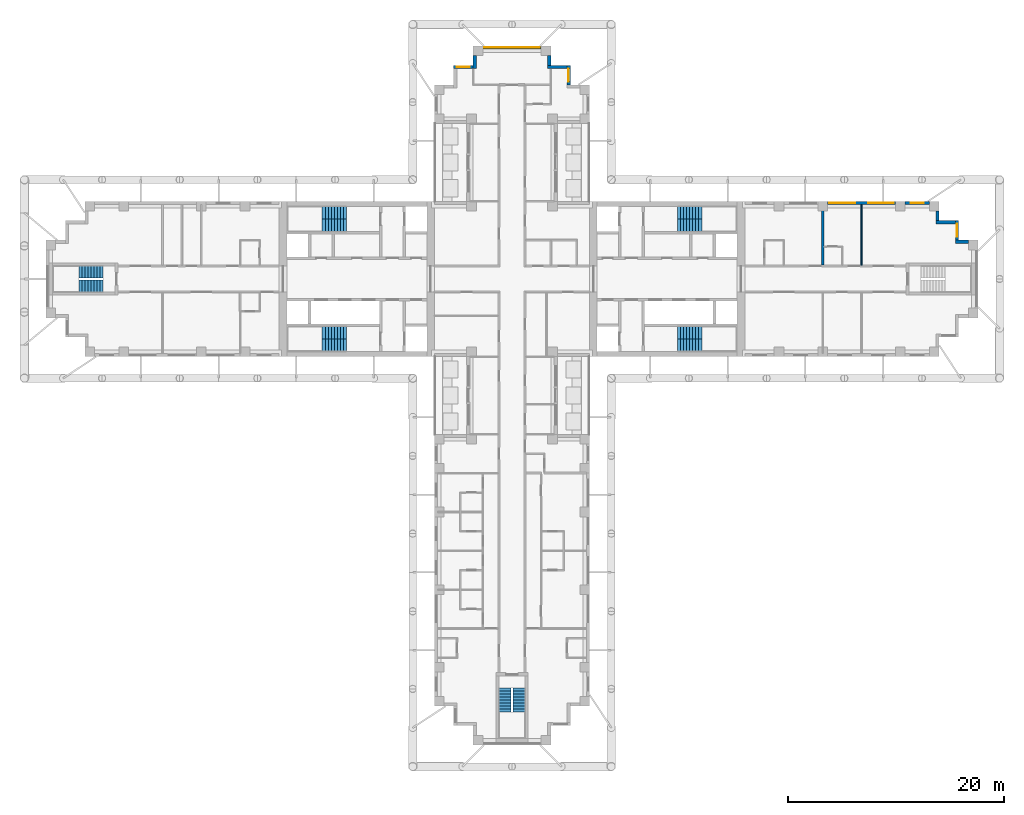
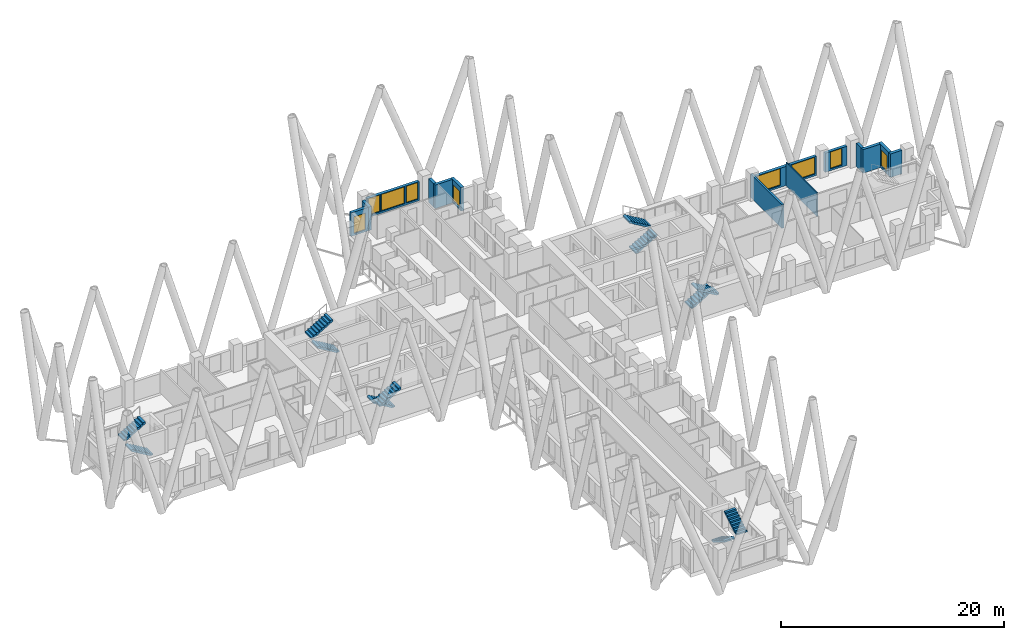
# One storey, part 11 of 14: 14 walls, 12 stair flights, 9 windows, 9 openings, 6 elements without a shape of their own.
"""IFC4 building model written with IfcOpenShell, lengths in metres."""

import ifcopenshell
import ifcopenshell.guid

model = None  # the IFC model being written
_history = None  # IfcOwnerHistory: only IFC2X3 demands one
_inside = {}  # id of a spatial element -> (the spatial element, [elements in it])
_under = {}  # id of a project, library or spatial element -> (it, [spatial elements below it])
_declared = {}  # id of a project -> (the project, [libraries it declares])
_typed = {}  # id of a type object -> (the type object, [elements of that type])
_made_of = {}  # id of a material, layer set ... -> (it, [elements and type objects made of it])


def new_model(schema):
    """Start an empty IFC model of exactly this schema.

    Asked for "IFC4X3", IfcOpenShell would pick the latest addendum, in which some entities
    have other attributes; the version numbers below select the first issue.
    IFC2X3 requires an IfcOwnerHistory on every rooted entity: one is made here for all.
    """
    global model, _history
    if schema == "IFC4X3":
        model = ifcopenshell.file(schema_version=(4, 3, 0, 0))
    else:
        model = ifcopenshell.file(schema=schema)
    _inside.clear()
    _under.clear()
    _declared.clear()
    _typed.clear()
    _made_of.clear()
    _history = None
    if model.schema == "IFC2X3":
        org = make("IfcOrganization", Name="unknown")
        user = make(
            "IfcPersonAndOrganization",
            ThePerson=make("IfcPerson", FamilyName="unknown"),
            TheOrganization=org,
        )
        app = make(
            "IfcApplication",
            ApplicationDeveloper=org,
            Version="unknown",
            ApplicationFullName="unknown",
            ApplicationIdentifier="unknown",
        )
        _history = make(
            "IfcOwnerHistory",
            OwningUser=user,
            OwningApplication=app,
            ChangeAction="ADDED",
            CreationDate=0,
        )
    return model


def make(cls, **values):
    """One entity of the class cls with the attributes given. An attribute that is None is left unset."""
    return model.create_entity(
        cls, **{name: value for name, value in values.items() if value is not None}
    )


def rooted(cls, **values):
    """An entity with a GlobalId (a new one), such as an element, a storey or a relation."""
    return make(cls, GlobalId=ifcopenshell.guid.new(), OwnerHistory=_history, **values)


def si_unit(unit_type, name, prefix=None):
    """IfcSIUnit, for example si_unit("LENGTHUNIT", "METRE", prefix="MILLI")."""
    return make("IfcSIUnit", UnitType=unit_type, Prefix=prefix, Name=name)


def assignment(units):
    """IfcUnitAssignment: the units of a project."""
    return None if units is None else make("IfcUnitAssignment", Units=units)


def point(xyz):
    """IfcCartesianPoint."""
    return None if xyz is None else make("IfcCartesianPoint", Coordinates=xyz)


def direction(xyz):
    """IfcDirection."""
    return None if xyz is None else make("IfcDirection", DirectionRatios=xyz)


def frame(location, z_axis=None, x_axis=None):
    """IfcAxis2Placement3D, a coordinate frame: its origin and axes. An axis left out is left unset."""
    return make(
        "IfcAxis2Placement3D",
        Location=point(location),
        Axis=direction(z_axis),
        RefDirection=direction(x_axis),
    )


def frame_2d(location, x_axis=None):
    """IfcAxis2Placement2D, a coordinate frame in the plane: its origin and x axis."""
    return make(
        "IfcAxis2Placement2D", Location=point(location), RefDirection=direction(x_axis)
    )


def origin():
    """The frame at (0, 0, 0) with its axes left unset."""
    return frame((0.0, 0.0, 0.0))


def place(relative_to, where):
    """IfcLocalPlacement: puts the frame where relative to a parent placement (None: the world)."""
    return make(
        "IfcLocalPlacement", PlacementRelTo=relative_to, RelativePlacement=where
    )


def context(
    kind, dimensions, precision=None, world=None, true_north=None, identifier=None
):
    """IfcGeometricRepresentationContext, for example the 3D "Model" context."""
    return make(
        "IfcGeometricRepresentationContext",
        ContextIdentifier=identifier,
        ContextType=kind,
        CoordinateSpaceDimension=dimensions,
        Precision=precision,
        WorldCoordinateSystem=world,
        TrueNorth=true_north,
    )


def subcontext(parent, identifier, kind, view, scale=None):
    """IfcGeometricRepresentationSubContext, for example "Body" below "Model"."""
    return make(
        "IfcGeometricRepresentationSubContext",
        ContextIdentifier=identifier,
        ContextType=kind,
        ParentContext=parent,
        TargetScale=scale,
        TargetView=view,
    )


def project(units=None, contexts=None):
    """IfcProject with its units and contexts."""
    return rooted(
        "IfcProject",
        Name="project",
        RepresentationContexts=contexts,
        UnitsInContext=assignment(units),
    )


def spatial(cls, under=None, at=None, **own):
    """A site, building, storey or space (cls), placed at a placement, below another one or the project."""
    s = rooted(cls, ObjectPlacement=at, **own)
    if under is not None:
        _under.setdefault(under.id(), (under, []))[1].append(s)
    return s


def polyline(points):
    """IfcPolyline through the points."""
    return make("IfcPolyline", Points=[point(p) for p in points])


def profile(cls, at=None, kind="AREA", **sizes):
    """A parametric profile (cls). Its sizes go by their IFC names, for example OverallWidth=200.0."""
    return make(cls, ProfileType=kind, Position=at, **sizes)


def rectangle(**sizes):
    """IfcRectangleProfileDef."""
    return profile("IfcRectangleProfileDef", **sizes)


def outline(outer, holes=None, kind="AREA"):
    """IfcArbitraryClosedProfileDef: a profile drawn as a closed curve; with holes, ...WithVoids."""
    if holes is None:
        return make("IfcArbitraryClosedProfileDef", ProfileType=kind, OuterCurve=outer)
    return make(
        "IfcArbitraryProfileDefWithVoids",
        ProfileType=kind,
        OuterCurve=outer,
        InnerCurves=holes,
    )


def extrude(swept, where, along, depth):
    """IfcExtrudedAreaSolid: the profile swept, set in the frame where, extruded along a direction by depth."""
    return make(
        "IfcExtrudedAreaSolid",
        SweptArea=swept,
        Position=where,
        ExtrudedDirection=direction(along),
        Depth=depth,
    )


def shape(context_of_items, identifier, shape_type, items):
    """IfcShapeRepresentation: the items that make up one representation, for example the "Body"."""
    return make(
        "IfcShapeRepresentation",
        ContextOfItems=context_of_items,
        RepresentationIdentifier=identifier,
        RepresentationType=shape_type,
        Items=items,
    )


def material(Name=None, Category=None):
    """IfcMaterial."""
    return make("IfcMaterial", Name=Name, Category=Category)


def layer(
    of_material, thickness, ventilated=None, Name=None, Category=None, Priority=None
):
    """IfcMaterialLayer: one layer of a wall or slab, of a material (None: an air gap)."""
    return make(
        "IfcMaterialLayer",
        Material=of_material,
        LayerThickness=thickness,
        IsVentilated=ventilated,
        Name=Name,
        Category=Category,
        Priority=Priority,
    )


def layer_set(layers, Name=None):
    """IfcMaterialLayerSet."""
    return make("IfcMaterialLayerSet", MaterialLayers=layers, LayerSetName=Name)


def made_of(thing, what):
    """Note that an element or type object is made of a material, layer set ...; save() writes the relation."""
    if what is not None:
        _made_of.setdefault(what.id(), (what, []))[1].append(thing)
    return thing


def type_object(cls, material=None, **own):
    """A type object (cls), such as IfcWallType, which elements share."""
    return made_of(rooted(cls, **own), material)


def element(
    cls,
    number,
    at=None,
    inside=None,
    cuts=None,
    type_object=None,
    material=None,
    context=None,
    identifier="Body",
    shape_type=None,
    held_by="IfcProductDefinitionShape",
    body=None,
    shapes=None,
    **own,
):
    """One element of the class cls, such as IfcWall. Its Tag is "e" and its number.

    at: its placement. inside: the storey or other place that contains it. cuts: it is an
    opening in that element (IfcRelVoidsElement). A single representation is given by context,
    identifier, shape_type and body (its items); several are given by shapes. held_by: the class
    of the entity that holds the representations. save() writes the other relations.
    """
    e = rooted(cls, Tag="e%d" % number, ObjectPlacement=at, **own)
    if body is not None:
        shapes = [shape(context, identifier, shape_type, body)]
    if shapes is not None:
        e.Representation = make(held_by, Representations=shapes)
    if inside is not None:
        _inside.setdefault(inside.id(), (inside, []))[1].append(e)
    if cuts is not None:
        rooted(
            "IfcRelVoidsElement", RelatingBuildingElement=cuts, RelatedOpeningElement=e
        )
    if type_object is not None:
        _typed.setdefault(type_object.id(), (type_object, []))[1].append(e)
    return made_of(e, material)


def fill(opening, filler):
    """IfcRelFillsElement: the door or window that sits in an opening."""
    return rooted(
        "IfcRelFillsElement",
        RelatingOpeningElement=opening,
        RelatedBuildingElement=filler,
    )


def aggregate(whole, parts):
    """IfcRelAggregates: a whole, such as a stair, and the parts it consists of."""
    return rooted("IfcRelAggregates", RelatingObject=whole, RelatedObjects=parts)


def save(model, path):
    """Write the relations noted so far, then the file.

    IfcRelAggregates (storeys below a building ...), IfcRelContainedInSpatialStructure (elements
    in a storey), IfcRelDefinesByType, IfcRelAssociatesMaterial and IfcRelDeclares: one each for
    every whole, place, type object, material and project.
    """
    for whole, parts in _under.values():
        aggregate(whole, parts)
    for where, things in _inside.values():
        rooted(
            "IfcRelContainedInSpatialStructure",
            RelatedElements=things,
            RelatingStructure=where,
        )
    for kind, things in _typed.values():
        rooted("IfcRelDefinesByType", RelatedObjects=things, RelatingType=kind)
    for what, things in _made_of.values():
        rooted("IfcRelAssociatesMaterial", RelatedObjects=things, RelatingMaterial=what)
    for by, libraries in _declared.values():
        rooted("IfcRelDeclares", RelatingContext=by, RelatedDefinitions=libraries)
    model.write(path)


model = new_model("IFC4")

# Units and contexts
model_context = context("Model", 3, precision=1e-05, world=origin(), true_north=direction((0.0, 1.0)))
body_context = subcontext(model_context, "Body", "Model", "MODEL_VIEW")
ifc_project = project(units=[si_unit("LENGTHUNIT", "METRE"), si_unit("AREAUNIT", "SQUARE_METRE"), si_unit("VOLUMEUNIT", "CUBIC_METRE"), si_unit("PLANEANGLEUNIT", "RADIAN"), si_unit("MASSUNIT", "GRAM", prefix="KILO")], contexts=[model_context])

# Site, building, storey
site_placement = place(None, origin())
site = spatial("IfcSite", under=ifc_project, at=site_placement, CompositionType="ELEMENT")
building_placement = place(site_placement, origin())
building = spatial("IfcBuilding", under=site, at=building_placement, Name="Fustian Cross Tower", CompositionType="ELEMENT")
storey_placement = place(building_placement, frame((0.0, 0.0, 90.89990234375)))
storey = spatial("IfcBuildingStorey", under=building, at=storey_placement, Name="L28", CompositionType="ELEMENT", Elevation=90.89990234375)

# Walls
ifc_material_1 = material(Name="Plasterboard on steel stud", Category="steel")
ifc_layer_1 = layer(ifc_material_1, 0.10009765625)
ifc_layer_set_1 = layer_set([ifc_layer_1], Name="Plasterboard on steel stud")
wall_type_1 = type_object("IfcWallType", Name="PARTITION 100 STUD", PredefinedType="PARTITIONING", material=ifc_layer_set_1)
wall_1_placement = place(storey_placement, frame((32.39990234375, 1.27490234375, 0.0), z_axis=(0.0, 0.0, 1.0), x_axis=(0.0, 1.0, 0.0)))
element("IfcWall", 1, at=wall_1_placement, inside=storey, type_object=wall_type_1, Name="Partition 80", PredefinedType="PARTITIONING", context=body_context, shape_type="SweptSolid", body=[
    extrude(rectangle(XDim=5.625, YDim=0.10009765625, at=frame_2d((2.8125, 0.0))), origin(), (0.0, 0.0, 1.0), 2.5751953125),
])
ifc_material_2 = material(Name="Plasterboard on steel stud", Category="steel")
ifc_layer_2 = layer(ifc_material_2, 0.199951171875)
ifc_layer_set_2 = layer_set([ifc_layer_2], Name="Plasterboard on steel stud")
wall_type_2 = type_object("IfcWallType", Name="PARTY WALL 200 EI 60", PredefinedType="PARTITIONING", material=ifc_layer_set_2)
wall_2_placement = place(storey_placement, frame((28.800048828125, 1.27490234375, 0.0), z_axis=(0.0, 0.0, 1.0), x_axis=(0.0, 1.0, 0.0)))
element("IfcWall", 2, at=wall_2_placement, inside=storey, type_object=wall_type_2, Name="Partition 76", PredefinedType="PARTITIONING", context=body_context, shape_type="SweptSolid", body=[
    extrude(rectangle(XDim=5.625, YDim=0.199951171875, at=frame_2d((2.8125, 0.0))), origin(), (0.0, 0.0, 1.0), 2.5751953125),
])
ifc_material_3 = material(Name="Dark aluminium cladding on insulated backing wall", Category="aluminium")
ifc_layer_3 = layer(ifc_material_3, 0.300048828125)
ifc_layer_set_3 = layer_set([ifc_layer_3], Name="Dark aluminium cladding on insulated backing wall")
wall_type_3 = type_object("IfcWallType", Name="XW1 EXTERNAL WALL 300", PredefinedType="SOLIDWALL", material=ifc_layer_set_3)
wall_3_placement = place(storey_placement, frame((42.300048828125, 3.449951171875, 0.0), z_axis=(0.0, 0.0, 1.0), x_axis=(-1.0, 0.0, 0.0)))
element("IfcWall", 3, at=wall_3_placement, inside=storey, type_object=wall_type_3, Name="External wall", PredefinedType="SOLIDWALL", context=body_context, shape_type="SweptSolid", body=[
    extrude(rectangle(XDim=1.199951171875, YDim=0.300048828125, at=frame_2d((0.60009765625, 0.0))), origin(), (0.0, 0.0, 1.0), 2.5751953125),
])

# Wall, opening, window
wall_4_placement = place(storey_placement, frame((41.25, 3.60009765625, 0.0), z_axis=(0.0, 0.0, 1.0), x_axis=(0.0, 1.0, 0.0)))
wall_4 = element("IfcWall", 4, at=wall_4_placement, inside=storey, type_object=wall_type_3, Name="External wall", PredefinedType="SOLIDWALL", context=body_context, shape_type="SweptSolid", body=[
    extrude(rectangle(XDim=1.7998046875, YDim=0.300048828125, at=frame_2d((0.89990234375, 0.0))), origin(), (0.0, 0.0, 1.0), 2.5751953125),
])
opening_1_placement = place(wall_4_placement, frame((0.300048828125, 0.0, 0.199951171875)))
opening_1 = element("IfcOpeningElement", 5, at=opening_1_placement, cuts=wall_4, Name="Opening WN3", PredefinedType="OPENING", context=body_context, shape_type="SweptSolid", body=[
    extrude(rectangle(XDim=1.199951171875, YDim=1.85009765625, at=frame_2d((0.60009765625, 0.925048828125))), frame((0.0, 0.159912109375, 0.0), z_axis=(0.0, -1.0, 0.0), x_axis=(1.0, 0.0, 0.0)), (0.0, 0.0, 1.0), 0.320068359375),
])
ifc_material_4 = material(Name="Dark anodised aluminium and double glazing", Category="aluminium")
window_type_1 = type_object("IfcWindowType", Name="WN3 WINDOW 1200X1850", PartitioningType="SINGLE_PANEL", PredefinedType="WINDOW", material=ifc_material_4)
window_1_placement = place(opening_1_placement, origin())
window_1 = element("IfcWindow", 6, at=window_1_placement, inside=storey, type_object=window_type_1, Name="Window", OverallHeight=1.85009765625, OverallWidth=1.199951171875, PartitioningType="SINGLE_PANEL", PredefinedType="WINDOW", context=body_context, shape_type="SweptSolid", body=[
    extrude(rectangle(XDim=1.199951171875, YDim=1.85009765625, at=frame_2d((0.60009765625, 0.925048828125))), frame((0.0, 0.030029296875, 0.0), z_axis=(0.0, -1.0, 0.0), x_axis=(1.0, 0.0, 0.0)), (0.0, 0.0, 1.0), 0.06005859375),
])
fill(opening_1, window_1)

# Walls
wall_5_placement = place(storey_placement, frame((41.10009765625, 5.25, 0.0), z_axis=(0.0, 0.0, 1.0), x_axis=(-1.0, 0.0, 0.0)))
element("IfcWall", 7, at=wall_5_placement, inside=storey, type_object=wall_type_3, Name="External wall", PredefinedType="SOLIDWALL", context=body_context, shape_type="SweptSolid", body=[
    extrude(rectangle(XDim=1.800048828125, YDim=0.300048828125, at=frame_2d((0.89990234375, 0.0))), origin(), (0.0, 0.0, 1.0), 2.5751953125),
])
wall_6_placement = place(storey_placement, frame((39.449951171875, 5.39990234375, 0.0), z_axis=(0.0, 0.0, 1.0), x_axis=(0.0, 1.0, 0.0)))
element("IfcWall", 8, at=wall_6_placement, inside=storey, type_object=wall_type_3, Name="External wall", PredefinedType="SOLIDWALL", context=body_context, shape_type="SweptSolid", body=[
    extrude(rectangle(XDim=0.900146484375, YDim=0.300048828125, at=frame_2d((0.4501953125, 0.0))), origin(), (0.0, 0.0, 1.0), 2.5751953125),
])

# Wall, opening, window
wall_7_placement = place(storey_placement, frame((38.699951171875, 7.050048828125, 0.0), z_axis=(0.0, 0.0, 1.0), x_axis=(-1.0, 0.0, 0.0)))
wall_7 = element("IfcWall", 9, at=wall_7_placement, inside=storey, type_object=wall_type_3, Name="External wall", PredefinedType="SOLIDWALL", context=body_context, shape_type="SweptSolid", body=[
    extrude(rectangle(XDim=2.25, YDim=0.300048828125, at=frame_2d((1.125, 0.0))), origin(), (0.0, 0.0, 1.0), 2.10009765625),
])
opening_2_placement = place(wall_7_placement, frame((0.52490234375, 0.0, 0.199951171875)))
opening_2 = element("IfcOpeningElement", 10, at=opening_2_placement, cuts=wall_7, Name="Opening WN3", PredefinedType="OPENING", context=body_context, shape_type="SweptSolid", body=[
    extrude(rectangle(XDim=1.199951171875, YDim=1.85009765625, at=frame_2d((0.60009765625, 0.925048828125))), frame((0.0, 0.159912109375, 0.0), z_axis=(0.0, -1.0, 0.0), x_axis=(1.0, 0.0, 0.0)), (0.0, 0.0, 1.0), 0.320068359375),
])
window_2_placement = place(opening_2_placement, origin())
window_2 = element("IfcWindow", 11, at=window_2_placement, inside=storey, type_object=window_type_1, Name="Window", OverallHeight=1.85009765625, OverallWidth=1.199951171875, PartitioningType="SINGLE_PANEL", PredefinedType="WINDOW", context=body_context, shape_type="SweptSolid", body=[
    extrude(rectangle(XDim=1.199951171875, YDim=1.85009765625, at=frame_2d((0.60009765625, 0.925048828125))), frame((0.0, 0.030029296875, 0.0), z_axis=(0.0, -1.0, 0.0), x_axis=(1.0, 0.0, 0.0)), (0.0, 0.0, 1.0), 0.06005859375),
])
fill(opening_2, window_2)

# Wall, openings, windows
wall_8_placement = place(storey_placement, frame((35.550048828125, 7.050048828125, 0.0), z_axis=(0.0, 0.0, 1.0), x_axis=(-1.0, 0.0, 0.0)))
wall_8 = element("IfcWall", 12, at=wall_8_placement, inside=storey, type_object=wall_type_3, Name="External wall", PredefinedType="SOLIDWALL", context=body_context, shape_type="SweptSolid", body=[
    extrude(rectangle(XDim=6.300048828125, YDim=0.300048828125, at=frame_2d((3.14990234375, 0.0))), origin(), (0.0, 0.0, 1.0), 2.10009765625),
])
opening_3_placement = place(wall_8_placement, frame((0.14990234375, 0.0, 0.199951171875)))
opening_3 = element("IfcOpeningElement", 13, at=opening_3_placement, cuts=wall_8, Name="Opening WN1", PredefinedType="OPENING", context=body_context, shape_type="SweptSolid", body=[
    extrude(rectangle(XDim=2.39990234375, YDim=1.85009765625, at=frame_2d((1.199951171875, 0.925048828125))), frame((0.0, 0.159912109375, 0.0), z_axis=(0.0, -1.0, 0.0), x_axis=(1.0, 0.0, 0.0)), (0.0, 0.0, 1.0), 0.320068359375),
])
opening_4_placement = place(wall_8_placement, frame((3.75, 0.0, 0.199951171875)))
opening_4 = element("IfcOpeningElement", 14, at=opening_4_placement, cuts=wall_8, Name="Opening WN1", PredefinedType="OPENING", context=body_context, shape_type="SweptSolid", body=[
    extrude(rectangle(XDim=2.39990234375, YDim=1.85009765625, at=frame_2d((1.199951171875, 0.925048828125))), frame((0.0, 0.159912109375, 0.0), z_axis=(0.0, -1.0, 0.0), x_axis=(1.0, 0.0, 0.0)), (0.0, 0.0, 1.0), 0.320068359375),
])
ifc_material_5 = material(Name="Dark anodised aluminium and double glazing", Category="aluminium")
window_type_2 = type_object("IfcWindowType", Name="WN1 WINDOW 2400X1850", PartitioningType="SINGLE_PANEL", PredefinedType="WINDOW", material=ifc_material_5)
window_3_placement = place(opening_3_placement, origin())
window_3 = element("IfcWindow", 15, at=window_3_placement, inside=storey, type_object=window_type_2, Name="Window", OverallHeight=1.85009765625, OverallWidth=2.39990234375, PartitioningType="SINGLE_PANEL", PredefinedType="WINDOW", context=body_context, shape_type="SweptSolid", body=[
    extrude(rectangle(XDim=2.39990234375, YDim=1.85009765625, at=frame_2d((1.199951171875, 0.925048828125))), frame((0.0, 0.030029296875, 0.0), z_axis=(0.0, -1.0, 0.0), x_axis=(1.0, 0.0, 0.0)), (0.0, 0.0, 1.0), 0.06005859375),
])
fill(opening_3, window_3)
window_4_placement = place(opening_4_placement, origin())
window_4 = element("IfcWindow", 16, at=window_4_placement, inside=storey, type_object=window_type_2, Name="Window", OverallHeight=1.85009765625, OverallWidth=2.39990234375, PartitioningType="SINGLE_PANEL", PredefinedType="WINDOW", context=body_context, shape_type="SweptSolid", body=[
    extrude(rectangle(XDim=2.39990234375, YDim=1.85009765625, at=frame_2d((1.199951171875, 0.925048828125))), frame((0.0, 0.030029296875, 0.0), z_axis=(0.0, -1.0, 0.0), x_axis=(1.0, 0.0, 0.0)), (0.0, 0.0, 1.0), 0.06005859375),
])
fill(opening_4, window_4)

# Wall, opening, window
wall_9_placement = place(storey_placement, frame((5.25, 18.0, 0.0), z_axis=(0.0, 0.0, 1.0), x_axis=(0.0, 1.0, 0.0)))
wall_9 = element("IfcWall", 17, at=wall_9_placement, inside=storey, type_object=wall_type_3, Name="External wall", PredefinedType="SOLIDWALL", context=body_context, shape_type="SweptSolid", body=[
    extrude(rectangle(XDim=1.800048828125, YDim=0.300048828125, at=frame_2d((0.89990234375, 0.0))), origin(), (0.0, 0.0, 1.0), 2.5751953125),
])
opening_5_placement = place(wall_9_placement, frame((0.300048828125, 0.0, 0.199951171875)))
opening_5 = element("IfcOpeningElement", 18, at=opening_5_placement, cuts=wall_9, Name="Opening WN3", PredefinedType="OPENING", context=body_context, shape_type="SweptSolid", body=[
    extrude(rectangle(XDim=1.199951171875, YDim=1.85009765625, at=frame_2d((0.60009765625, 0.925048828125))), frame((0.0, 0.159912109375, 0.0), z_axis=(0.0, -1.0, 0.0), x_axis=(1.0, 0.0, 0.0)), (0.0, 0.0, 1.0), 0.320068359375),
])
window_5_placement = place(opening_5_placement, origin())
window_5 = element("IfcWindow", 19, at=window_5_placement, inside=storey, type_object=window_type_1, Name="Window", OverallHeight=1.85009765625, OverallWidth=1.199951171875, PartitioningType="SINGLE_PANEL", PredefinedType="WINDOW", context=body_context, shape_type="SweptSolid", body=[
    extrude(rectangle(XDim=1.199951171875, YDim=1.85009765625, at=frame_2d((0.60009765625, 0.925048828125))), frame((0.0, 0.030029296875, 0.0), z_axis=(0.0, -1.0, 0.0), x_axis=(1.0, 0.0, 0.0)), (0.0, 0.0, 1.0), 0.06005859375),
])
fill(opening_5, window_5)

# Walls
wall_10_placement = place(storey_placement, frame((5.10009765625, 19.64990234375, 0.0), z_axis=(0.0, 0.0, 1.0), x_axis=(-1.0, 0.0, 0.0)))
element("IfcWall", 20, at=wall_10_placement, inside=storey, type_object=wall_type_3, Name="External wall", PredefinedType="SOLIDWALL", context=body_context, shape_type="SweptSolid", body=[
    extrude(rectangle(XDim=1.800048828125, YDim=0.300048828125, at=frame_2d((0.89990234375, 0.0))), origin(), (0.0, 0.0, 1.0), 2.5751953125),
])
wall_11_placement = place(storey_placement, frame((3.449951171875, 19.800048828125, 0.0), z_axis=(0.0, 0.0, 1.0), x_axis=(0.0, 1.0, 0.0)))
element("IfcWall", 21, at=wall_11_placement, inside=storey, type_object=wall_type_3, Name="External wall", PredefinedType="SOLIDWALL", context=body_context, shape_type="SweptSolid", body=[
    extrude(rectangle(XDim=0.89990234375, YDim=0.300048828125, at=frame_2d((0.449951171875, 0.0))), origin(), (0.0, 0.0, 1.0), 2.5751953125),
])

# Wall, openings, windows
wall_12_placement = place(storey_placement, frame((2.699951171875, 21.449951171875, 0.0), z_axis=(0.0, 0.0, 1.0), x_axis=(-1.0, 0.0, 0.0)))
wall_12 = element("IfcWall", 22, at=wall_12_placement, inside=storey, type_object=wall_type_3, Name="External wall", PredefinedType="SOLIDWALL", context=body_context, shape_type="SweptSolid", body=[
    extrude(rectangle(XDim=5.39990234375, YDim=0.300048828125, at=frame_2d((2.699951171875, 0.0))), origin(), (0.0, 0.0, 1.0), 2.10009765625),
])
opening_6_placement = place(wall_12_placement, frame((1.5, 0.0, 0.199951171875)))
opening_6 = element("IfcOpeningElement", 23, at=opening_6_placement, cuts=wall_12, Name="Opening WN1", PredefinedType="OPENING", context=body_context, shape_type="SweptSolid", body=[
    extrude(rectangle(XDim=2.39990234375, YDim=1.85009765625, at=frame_2d((1.199951171875, 0.925048828125))), frame((0.0, 0.159912109375, 0.0), z_axis=(0.0, -1.0, 0.0), x_axis=(1.0, 0.0, 0.0)), (0.0, 0.0, 1.0), 0.320068359375),
])
opening_7_placement = place(wall_12_placement, frame((0.14990234375, 0.0, 0.199951171875)))
opening_7 = element("IfcOpeningElement", 24, at=opening_7_placement, cuts=wall_12, Name="Opening WN3", PredefinedType="OPENING", context=body_context, shape_type="SweptSolid", body=[
    extrude(rectangle(XDim=1.199951171875, YDim=1.85009765625, at=frame_2d((0.60009765625, 0.925048828125))), frame((0.0, 0.159912109375, 0.0), z_axis=(0.0, -1.0, 0.0), x_axis=(1.0, 0.0, 0.0)), (0.0, 0.0, 1.0), 0.320068359375),
])
opening_8_placement = place(wall_12_placement, frame((4.050048828125, 0.0, 0.199951171875)))
opening_8 = element("IfcOpeningElement", 25, at=opening_8_placement, cuts=wall_12, Name="Opening WN3", PredefinedType="OPENING", context=body_context, shape_type="SweptSolid", body=[
    extrude(rectangle(XDim=1.199951171875, YDim=1.85009765625, at=frame_2d((0.60009765625, 0.925048828125))), frame((0.0, 0.159912109375, 0.0), z_axis=(0.0, -1.0, 0.0), x_axis=(1.0, 0.0, 0.0)), (0.0, 0.0, 1.0), 0.320068359375),
])
window_6_placement = place(opening_6_placement, origin())
window_6 = element("IfcWindow", 26, at=window_6_placement, inside=storey, type_object=window_type_2, Name="Window", OverallHeight=1.85009765625, OverallWidth=2.39990234375, PartitioningType="SINGLE_PANEL", PredefinedType="WINDOW", context=body_context, shape_type="SweptSolid", body=[
    extrude(rectangle(XDim=2.39990234375, YDim=1.85009765625, at=frame_2d((1.199951171875, 0.925048828125))), frame((0.0, 0.030029296875, 0.0), z_axis=(0.0, -1.0, 0.0), x_axis=(1.0, 0.0, 0.0)), (0.0, 0.0, 1.0), 0.06005859375),
])
fill(opening_6, window_6)
window_7_placement = place(opening_7_placement, origin())
window_7 = element("IfcWindow", 27, at=window_7_placement, inside=storey, type_object=window_type_1, Name="Window", OverallHeight=1.85009765625, OverallWidth=1.199951171875, PartitioningType="SINGLE_PANEL", PredefinedType="WINDOW", context=body_context, shape_type="SweptSolid", body=[
    extrude(rectangle(XDim=1.199951171875, YDim=1.85009765625, at=frame_2d((0.60009765625, 0.925048828125))), frame((0.0, 0.030029296875, 0.0), z_axis=(0.0, -1.0, 0.0), x_axis=(1.0, 0.0, 0.0)), (0.0, 0.0, 1.0), 0.06005859375),
])
fill(opening_7, window_7)
window_8_placement = place(opening_8_placement, origin())
window_8 = element("IfcWindow", 28, at=window_8_placement, inside=storey, type_object=window_type_1, Name="Window", OverallHeight=1.85009765625, OverallWidth=1.199951171875, PartitioningType="SINGLE_PANEL", PredefinedType="WINDOW", context=body_context, shape_type="SweptSolid", body=[
    extrude(rectangle(XDim=1.199951171875, YDim=1.85009765625, at=frame_2d((0.60009765625, 0.925048828125))), frame((0.0, 0.030029296875, 0.0), z_axis=(0.0, -1.0, 0.0), x_axis=(1.0, 0.0, 0.0)), (0.0, 0.0, 1.0), 0.06005859375),
])
fill(opening_8, window_8)

# Wall
wall_13_placement = place(storey_placement, frame((-3.449951171875, 20.699951171875, 0.0), z_axis=(0.0, 0.0, 1.0), x_axis=(0.0, -1.0, 0.0)))
element("IfcWall", 29, at=wall_13_placement, inside=storey, type_object=wall_type_3, Name="External wall", PredefinedType="SOLIDWALL", context=body_context, shape_type="SweptSolid", body=[
    extrude(rectangle(XDim=1.199951171875, YDim=0.300048828125, at=frame_2d((0.60009765625, 0.0))), origin(), (0.0, 0.0, 1.0), 2.5751953125),
])

# Wall, opening, window
wall_14_placement = place(storey_placement, frame((-3.60009765625, 19.64990234375, 0.0), z_axis=(0.0, 0.0, 1.0), x_axis=(-1.0, 0.0, 0.0)))
wall_14 = element("IfcWall", 30, at=wall_14_placement, inside=storey, type_object=wall_type_3, Name="External wall", PredefinedType="SOLIDWALL", context=body_context, shape_type="SweptSolid", body=[
    extrude(rectangle(XDim=1.7998046875, YDim=0.300048828125, at=frame_2d((0.89990234375, 0.0))), origin(), (0.0, 0.0, 1.0), 2.5751953125),
])
opening_9_placement = place(wall_14_placement, frame((0.300048828125, 0.0, 0.199951171875)))
opening_9 = element("IfcOpeningElement", 31, at=opening_9_placement, cuts=wall_14, Name="Opening WN3", PredefinedType="OPENING", context=body_context, shape_type="SweptSolid", body=[
    extrude(rectangle(XDim=1.199951171875, YDim=1.85009765625, at=frame_2d((0.60009765625, 0.925048828125))), frame((0.0, 0.159912109375, 0.0), z_axis=(0.0, -1.0, 0.0), x_axis=(1.0, 0.0, 0.0)), (0.0, 0.0, 1.0), 0.320068359375),
])
window_9_placement = place(opening_9_placement, origin())
window_9 = element("IfcWindow", 32, at=window_9_placement, inside=storey, type_object=window_type_1, Name="Window", OverallHeight=1.85009765625, OverallWidth=1.199951171875, PartitioningType="SINGLE_PANEL", PredefinedType="WINDOW", context=body_context, shape_type="SweptSolid", body=[
    extrude(rectangle(XDim=1.199951171875, YDim=1.85009765625, at=frame_2d((0.60009765625, 0.925048828125))), frame((0.0, 0.030029296875, 0.0), z_axis=(0.0, -1.0, 0.0), x_axis=(1.0, 0.0, 0.0)), (0.0, 0.0, 1.0), 0.06005859375),
])
fill(opening_9, window_9)

# Stair, stair flights
ifc_material_6 = material(Name="Concrete C50/60", Category="concrete")
stair_type_1 = type_object("IfcStairType", Name="STAIR 1100 HALF TURN", PredefinedType="HALF_TURN_STAIR", material=ifc_material_6)
stair_1_placement = place(storey_placement, origin())
stair_1 = element("IfcStair", 33, at=stair_1_placement, inside=storey, type_object=stair_type_1, Name="Stair ST6", PredefinedType="HALF_TURN_STAIR")
ifc_material_7 = material(Name="Concrete C50/60", Category="concrete")
stair_flight_type_1 = type_object("IfcStairFlightType", Name="STAIR FLIGHT 1100", PredefinedType="STRAIGHT", material=ifc_material_7)
stair_flight_1_placement = place(storey_placement, frame((-0.64990234375, -37.89990234375, 0.0), z_axis=(0.0, 0.0, 1.0), x_axis=(0.0, -1.0, 0.0)))
stair_flight_1 = element("IfcStairFlight", 34, at=stair_flight_1_placement, type_object=stair_flight_type_1, Name="ST6 flight 1", NumberOfRisers=9, NumberOfTreads=8, PredefinedType="STRAIGHT", RiserHeight=0.166666667, TreadLength=0.28, context=body_context, shape_type="SweptSolid", body=[
    extrude(outline(polyline([(0.0, 0.0), (0.0, 0.166748046875), (0.280029296875, 0.166748046875), (0.280029296875, 0.333251953125), (0.56005859375, 0.333251953125), (0.56005859375, 0.5), (0.840087890625, 0.5), (0.840087890625, 0.666748046875), (1.1201171875, 0.666748046875), (1.1201171875, 0.833251953125), (1.39990234375, 0.833251953125), (1.39990234375, 1.0), (1.679931640625, 1.0), (1.679931640625, 1.166748046875), (1.9599609375, 1.166748046875), (1.9599609375, 1.333251953125), (2.239990234375, 1.333251953125), (2.239990234375, 1.5), (2.239990234375, 1.158935546875), (0.29296875, 0.0), (0.0, 0.0)])), frame((0.0, 0.550048828125, 0.0), z_axis=(0.0, -1.0, 0.0), x_axis=(1.0, 0.0, 0.0)), (0.0, 0.0, 1.0), 1.10009765625),
])
stair_flight_2_placement = place(storey_placement, frame((0.64990234375, -40.139892578125, 1.5), z_axis=(0.0, 0.0, 1.0), x_axis=(0.0, 1.0, 0.0)))
stair_flight_2 = element("IfcStairFlight", 35, at=stair_flight_2_placement, type_object=stair_flight_type_1, Name="ST6 flight 2", NumberOfRisers=9, NumberOfTreads=8, PredefinedType="STRAIGHT", RiserHeight=0.166666667, TreadLength=0.28, context=body_context, shape_type="SweptSolid", body=[
    extrude(outline(polyline([(0.0, 0.0), (0.0, 0.166748046875), (0.280029296875, 0.166748046875), (0.280029296875, 0.333251953125), (0.56005859375, 0.333251953125), (0.56005859375, 0.5), (0.840087890625, 0.5), (0.840087890625, 0.666748046875), (1.1201171875, 0.666748046875), (1.1201171875, 0.833251953125), (1.39990234375, 0.833251953125), (1.39990234375, 1.0), (1.679931640625, 1.0), (1.679931640625, 1.166748046875), (1.9599609375, 1.166748046875), (1.9599609375, 1.333251953125), (2.239990234375, 1.333251953125), (2.239990234375, 1.5), (2.239990234375, 1.158935546875), (0.29296875, 0.0), (0.0, 0.0)])), frame((0.0, 0.550048828125, 0.0), z_axis=(0.0, -1.0, 0.0), x_axis=(1.0, 0.0, 0.0)), (0.0, 0.0, 1.0), 1.10009765625),
])
aggregate(stair_1, [stair_flight_1, stair_flight_2])

stair_2_placement = place(storey_placement, origin())
stair_2 = element("IfcStair", 36, at=stair_2_placement, inside=storey, type_object=stair_type_1, Name="Stair ST9", PredefinedType="HALF_TURN_STAIR")
stair_flight_3_placement = place(storey_placement, frame((-37.89990234375, -0.64990234375, 0.0), z_axis=(0.0, 0.0, 1.0), x_axis=(-1.0, 0.0, 0.0)))
stair_flight_3 = element("IfcStairFlight", 37, at=stair_flight_3_placement, type_object=stair_flight_type_1, Name="ST9 flight 1", NumberOfRisers=9, NumberOfTreads=8, PredefinedType="STRAIGHT", RiserHeight=0.166666667, TreadLength=0.28, context=body_context, shape_type="SweptSolid", body=[
    extrude(outline(polyline([(0.0, 0.0), (0.0, 0.166748046875), (0.280029296875, 0.166748046875), (0.280029296875, 0.333251953125), (0.56005859375, 0.333251953125), (0.56005859375, 0.5), (0.840087890625, 0.5), (0.840087890625, 0.666748046875), (1.1201171875, 0.666748046875), (1.1201171875, 0.833251953125), (1.39990234375, 0.833251953125), (1.39990234375, 1.0), (1.679931640625, 1.0), (1.679931640625, 1.166748046875), (1.9599609375, 1.166748046875), (1.9599609375, 1.333251953125), (2.239990234375, 1.333251953125), (2.239990234375, 1.5), (2.239990234375, 1.158935546875), (0.29296875, 0.0), (0.0, 0.0)])), frame((0.0, 0.550048828125, 0.0), z_axis=(0.0, -1.0, 0.0), x_axis=(1.0, 0.0, 0.0)), (0.0, 0.0, 1.0), 1.10009765625),
])
stair_flight_4_placement = place(storey_placement, frame((-40.139892578125, 0.64990234375, 1.5), z_axis=(0.0, 0.0, 1.0), x_axis=(1.0, 0.0, 0.0)))
stair_flight_4 = element("IfcStairFlight", 38, at=stair_flight_4_placement, type_object=stair_flight_type_1, Name="ST9 flight 2", NumberOfRisers=9, NumberOfTreads=8, PredefinedType="STRAIGHT", RiserHeight=0.166666667, TreadLength=0.28, context=body_context, shape_type="SweptSolid", body=[
    extrude(outline(polyline([(0.0, 0.0), (0.0, 0.166748046875), (0.280029296875, 0.166748046875), (0.280029296875, 0.333251953125), (0.56005859375, 0.333251953125), (0.56005859375, 0.5), (0.840087890625, 0.5), (0.840087890625, 0.666748046875), (1.1201171875, 0.666748046875), (1.1201171875, 0.833251953125), (1.39990234375, 0.833251953125), (1.39990234375, 1.0), (1.679931640625, 1.0), (1.679931640625, 1.166748046875), (1.9599609375, 1.166748046875), (1.9599609375, 1.333251953125), (2.239990234375, 1.333251953125), (2.239990234375, 1.5), (2.239990234375, 1.158935546875), (0.29296875, 0.0), (0.0, 0.0)])), frame((0.0, 0.550048828125, 0.0), z_axis=(0.0, -1.0, 0.0), x_axis=(1.0, 0.0, 0.0)), (0.0, 0.0, 1.0), 1.10009765625),
])
aggregate(stair_2, [stair_flight_3, stair_flight_4])

ifc_material_8 = material(Name="Concrete C50/60", Category="concrete")
stair_type_2 = type_object("IfcStairType", Name="STAIR 1150 HALF TURN", PredefinedType="HALF_TURN_STAIR", material=ifc_material_8)
stair_3_placement = place(storey_placement, origin())
stair_3 = element("IfcStair", 39, at=stair_3_placement, inside=storey, type_object=stair_type_2, Name="Stair ST1", PredefinedType="HALF_TURN_STAIR")
ifc_material_9 = material(Name="Concrete C50/60", Category="concrete")
stair_flight_type_2 = type_object("IfcStairFlightType", Name="STAIR FLIGHT 1150", PredefinedType="STRAIGHT", material=ifc_material_9)
stair_flight_5_placement = place(storey_placement, frame((15.35009765625, 4.97509765625, 0.0), z_axis=(0.0, 0.0, 1.0), x_axis=(1.0, 0.0, 0.0)))
stair_flight_5 = element("IfcStairFlight", 40, at=stair_flight_5_placement, type_object=stair_flight_type_2, Name="ST1 flight 1", NumberOfRisers=9, NumberOfTreads=8, PredefinedType="STRAIGHT", RiserHeight=0.166666667, TreadLength=0.28, context=body_context, shape_type="SweptSolid", body=[
    extrude(outline(polyline([(0.0, 0.0), (0.0, 0.166748046875), (0.280029296875, 0.166748046875), (0.280029296875, 0.333251953125), (0.56005859375, 0.333251953125), (0.56005859375, 0.5), (0.840087890625, 0.5), (0.840087890625, 0.666748046875), (1.1201171875, 0.666748046875), (1.1201171875, 0.833251953125), (1.39990234375, 0.833251953125), (1.39990234375, 1.0), (1.679931640625, 1.0), (1.679931640625, 1.166748046875), (1.9599609375, 1.166748046875), (1.9599609375, 1.333251953125), (2.239990234375, 1.333251953125), (2.239990234375, 1.5), (2.239990234375, 1.158935546875), (0.29296875, 0.0), (0.0, 0.0)])), frame((0.0, 0.574951171875, 0.0), z_axis=(0.0, -1.0, 0.0), x_axis=(1.0, 0.0, 0.0)), (0.0, 0.0, 1.0), 1.14990234375),
])
stair_flight_6_placement = place(storey_placement, frame((17.590087890625, 6.125, 1.5), z_axis=(0.0, 0.0, 1.0), x_axis=(-1.0, 0.0, 0.0)))
stair_flight_6 = element("IfcStairFlight", 41, at=stair_flight_6_placement, type_object=stair_flight_type_2, Name="ST1 flight 2", NumberOfRisers=9, NumberOfTreads=8, PredefinedType="STRAIGHT", RiserHeight=0.166666667, TreadLength=0.28, context=body_context, shape_type="SweptSolid", body=[
    extrude(outline(polyline([(0.0, 0.0), (0.0, 0.166748046875), (0.280029296875, 0.166748046875), (0.280029296875, 0.333251953125), (0.56005859375, 0.333251953125), (0.56005859375, 0.5), (0.840087890625, 0.5), (0.840087890625, 0.666748046875), (1.1201171875, 0.666748046875), (1.1201171875, 0.833251953125), (1.39990234375, 0.833251953125), (1.39990234375, 1.0), (1.679931640625, 1.0), (1.679931640625, 1.166748046875), (1.9599609375, 1.166748046875), (1.9599609375, 1.333251953125), (2.239990234375, 1.333251953125), (2.239990234375, 1.5), (2.239990234375, 1.158935546875), (0.29296875, 0.0), (0.0, 0.0)])), frame((0.0, 0.574951171875, 0.0), z_axis=(0.0, -1.0, 0.0), x_axis=(1.0, 0.0, 0.0)), (0.0, 0.0, 1.0), 1.14990234375),
])
aggregate(stair_3, [stair_flight_5, stair_flight_6])

stair_4_placement = place(storey_placement, origin())
stair_4 = element("IfcStair", 42, at=stair_4_placement, inside=storey, type_object=stair_type_2, Name="Stair ST2", PredefinedType="HALF_TURN_STAIR")
stair_flight_7_placement = place(storey_placement, frame((15.35009765625, -4.97509765625, 0.0), z_axis=(0.0, 0.0, 1.0), x_axis=(1.0, 0.0, 0.0)))
stair_flight_7 = element("IfcStairFlight", 43, at=stair_flight_7_placement, type_object=stair_flight_type_2, Name="ST2 flight 1", NumberOfRisers=9, NumberOfTreads=8, PredefinedType="STRAIGHT", RiserHeight=0.166666667, TreadLength=0.28, context=body_context, shape_type="SweptSolid", body=[
    extrude(outline(polyline([(0.0, 0.0), (0.0, 0.166748046875), (0.280029296875, 0.166748046875), (0.280029296875, 0.333251953125), (0.56005859375, 0.333251953125), (0.56005859375, 0.5), (0.840087890625, 0.5), (0.840087890625, 0.666748046875), (1.1201171875, 0.666748046875), (1.1201171875, 0.833251953125), (1.39990234375, 0.833251953125), (1.39990234375, 1.0), (1.679931640625, 1.0), (1.679931640625, 1.166748046875), (1.9599609375, 1.166748046875), (1.9599609375, 1.333251953125), (2.239990234375, 1.333251953125), (2.239990234375, 1.5), (2.239990234375, 1.158935546875), (0.29296875, 0.0), (0.0, 0.0)])), frame((0.0, 0.574951171875, 0.0), z_axis=(0.0, -1.0, 0.0), x_axis=(1.0, 0.0, 0.0)), (0.0, 0.0, 1.0), 1.14990234375),
])
stair_flight_8_placement = place(storey_placement, frame((17.590087890625, -6.125, 1.5), z_axis=(0.0, 0.0, 1.0), x_axis=(-1.0, 0.0, 0.0)))
stair_flight_8 = element("IfcStairFlight", 44, at=stair_flight_8_placement, type_object=stair_flight_type_2, Name="ST2 flight 2", NumberOfRisers=9, NumberOfTreads=8, PredefinedType="STRAIGHT", RiserHeight=0.166666667, TreadLength=0.28, context=body_context, shape_type="SweptSolid", body=[
    extrude(outline(polyline([(0.0, 0.0), (0.0, 0.166748046875), (0.280029296875, 0.166748046875), (0.280029296875, 0.333251953125), (0.56005859375, 0.333251953125), (0.56005859375, 0.5), (0.840087890625, 0.5), (0.840087890625, 0.666748046875), (1.1201171875, 0.666748046875), (1.1201171875, 0.833251953125), (1.39990234375, 0.833251953125), (1.39990234375, 1.0), (1.679931640625, 1.0), (1.679931640625, 1.166748046875), (1.9599609375, 1.166748046875), (1.9599609375, 1.333251953125), (2.239990234375, 1.333251953125), (2.239990234375, 1.5), (2.239990234375, 1.158935546875), (0.29296875, 0.0), (0.0, 0.0)])), frame((0.0, 0.574951171875, 0.0), z_axis=(0.0, -1.0, 0.0), x_axis=(1.0, 0.0, 0.0)), (0.0, 0.0, 1.0), 1.14990234375),
])
aggregate(stair_4, [stair_flight_7, stair_flight_8])

stair_5_placement = place(storey_placement, origin())
stair_5 = element("IfcStair", 45, at=stair_5_placement, inside=storey, type_object=stair_type_2, Name="Stair ST3", PredefinedType="HALF_TURN_STAIR")
stair_flight_9_placement = place(storey_placement, frame((-15.35009765625, 4.97509765625, 0.0), z_axis=(0.0, 0.0, 1.0), x_axis=(-1.0, 0.0, 0.0)))
stair_flight_9 = element("IfcStairFlight", 46, at=stair_flight_9_placement, type_object=stair_flight_type_2, Name="ST3 flight 1", NumberOfRisers=9, NumberOfTreads=8, PredefinedType="STRAIGHT", RiserHeight=0.166666667, TreadLength=0.28, context=body_context, shape_type="SweptSolid", body=[
    extrude(outline(polyline([(0.0, 0.0), (0.0, 0.166748046875), (0.280029296875, 0.166748046875), (0.280029296875, 0.333251953125), (0.56005859375, 0.333251953125), (0.56005859375, 0.5), (0.840087890625, 0.5), (0.840087890625, 0.666748046875), (1.1201171875, 0.666748046875), (1.1201171875, 0.833251953125), (1.39990234375, 0.833251953125), (1.39990234375, 1.0), (1.679931640625, 1.0), (1.679931640625, 1.166748046875), (1.9599609375, 1.166748046875), (1.9599609375, 1.333251953125), (2.239990234375, 1.333251953125), (2.239990234375, 1.5), (2.239990234375, 1.158935546875), (0.29296875, 0.0), (0.0, 0.0)])), frame((0.0, 0.574951171875, 0.0), z_axis=(0.0, -1.0, 0.0), x_axis=(1.0, 0.0, 0.0)), (0.0, 0.0, 1.0), 1.14990234375),
])
stair_flight_10_placement = place(storey_placement, frame((-17.590087890625, 6.125, 1.5), z_axis=(0.0, 0.0, 1.0), x_axis=(1.0, 0.0, 0.0)))
stair_flight_10 = element("IfcStairFlight", 47, at=stair_flight_10_placement, type_object=stair_flight_type_2, Name="ST3 flight 2", NumberOfRisers=9, NumberOfTreads=8, PredefinedType="STRAIGHT", RiserHeight=0.166666667, TreadLength=0.28, context=body_context, shape_type="SweptSolid", body=[
    extrude(outline(polyline([(0.0, 0.0), (0.0, 0.166748046875), (0.280029296875, 0.166748046875), (0.280029296875, 0.333251953125), (0.56005859375, 0.333251953125), (0.56005859375, 0.5), (0.840087890625, 0.5), (0.840087890625, 0.666748046875), (1.1201171875, 0.666748046875), (1.1201171875, 0.833251953125), (1.39990234375, 0.833251953125), (1.39990234375, 1.0), (1.679931640625, 1.0), (1.679931640625, 1.166748046875), (1.9599609375, 1.166748046875), (1.9599609375, 1.333251953125), (2.239990234375, 1.333251953125), (2.239990234375, 1.5), (2.239990234375, 1.158935546875), (0.29296875, 0.0), (0.0, 0.0)])), frame((0.0, 0.574951171875, 0.0), z_axis=(0.0, -1.0, 0.0), x_axis=(1.0, 0.0, 0.0)), (0.0, 0.0, 1.0), 1.14990234375),
])
aggregate(stair_5, [stair_flight_9, stair_flight_10])

stair_6_placement = place(storey_placement, origin())
stair_6 = element("IfcStair", 48, at=stair_6_placement, inside=storey, type_object=stair_type_2, Name="Stair ST4", PredefinedType="HALF_TURN_STAIR")
stair_flight_11_placement = place(storey_placement, frame((-15.35009765625, -4.97509765625, 0.0), z_axis=(0.0, 0.0, 1.0), x_axis=(-1.0, 0.0, 0.0)))
stair_flight_11 = element("IfcStairFlight", 49, at=stair_flight_11_placement, type_object=stair_flight_type_2, Name="ST4 flight 1", NumberOfRisers=9, NumberOfTreads=8, PredefinedType="STRAIGHT", RiserHeight=0.166666667, TreadLength=0.28, context=body_context, shape_type="SweptSolid", body=[
    extrude(outline(polyline([(0.0, 0.0), (0.0, 0.166748046875), (0.280029296875, 0.166748046875), (0.280029296875, 0.333251953125), (0.56005859375, 0.333251953125), (0.56005859375, 0.5), (0.840087890625, 0.5), (0.840087890625, 0.666748046875), (1.1201171875, 0.666748046875), (1.1201171875, 0.833251953125), (1.39990234375, 0.833251953125), (1.39990234375, 1.0), (1.679931640625, 1.0), (1.679931640625, 1.166748046875), (1.9599609375, 1.166748046875), (1.9599609375, 1.333251953125), (2.239990234375, 1.333251953125), (2.239990234375, 1.5), (2.239990234375, 1.158935546875), (0.29296875, 0.0), (0.0, 0.0)])), frame((0.0, 0.574951171875, 0.0), z_axis=(0.0, -1.0, 0.0), x_axis=(1.0, 0.0, 0.0)), (0.0, 0.0, 1.0), 1.14990234375),
])
stair_flight_12_placement = place(storey_placement, frame((-17.590087890625, -6.125, 1.5), z_axis=(0.0, 0.0, 1.0), x_axis=(1.0, 0.0, 0.0)))
stair_flight_12 = element("IfcStairFlight", 50, at=stair_flight_12_placement, type_object=stair_flight_type_2, Name="ST4 flight 2", NumberOfRisers=9, NumberOfTreads=8, PredefinedType="STRAIGHT", RiserHeight=0.166666667, TreadLength=0.28, context=body_context, shape_type="SweptSolid", body=[
    extrude(outline(polyline([(0.0, 0.0), (0.0, 0.166748046875), (0.280029296875, 0.166748046875), (0.280029296875, 0.333251953125), (0.56005859375, 0.333251953125), (0.56005859375, 0.5), (0.840087890625, 0.5), (0.840087890625, 0.666748046875), (1.1201171875, 0.666748046875), (1.1201171875, 0.833251953125), (1.39990234375, 0.833251953125), (1.39990234375, 1.0), (1.679931640625, 1.0), (1.679931640625, 1.166748046875), (1.9599609375, 1.166748046875), (1.9599609375, 1.333251953125), (2.239990234375, 1.333251953125), (2.239990234375, 1.5), (2.239990234375, 1.158935546875), (0.29296875, 0.0), (0.0, 0.0)])), frame((0.0, 0.574951171875, 0.0), z_axis=(0.0, -1.0, 0.0), x_axis=(1.0, 0.0, 0.0)), (0.0, 0.0, 1.0), 1.14990234375),
])
aggregate(stair_6, [stair_flight_11, stair_flight_12])

save(model, "model.ifc")
